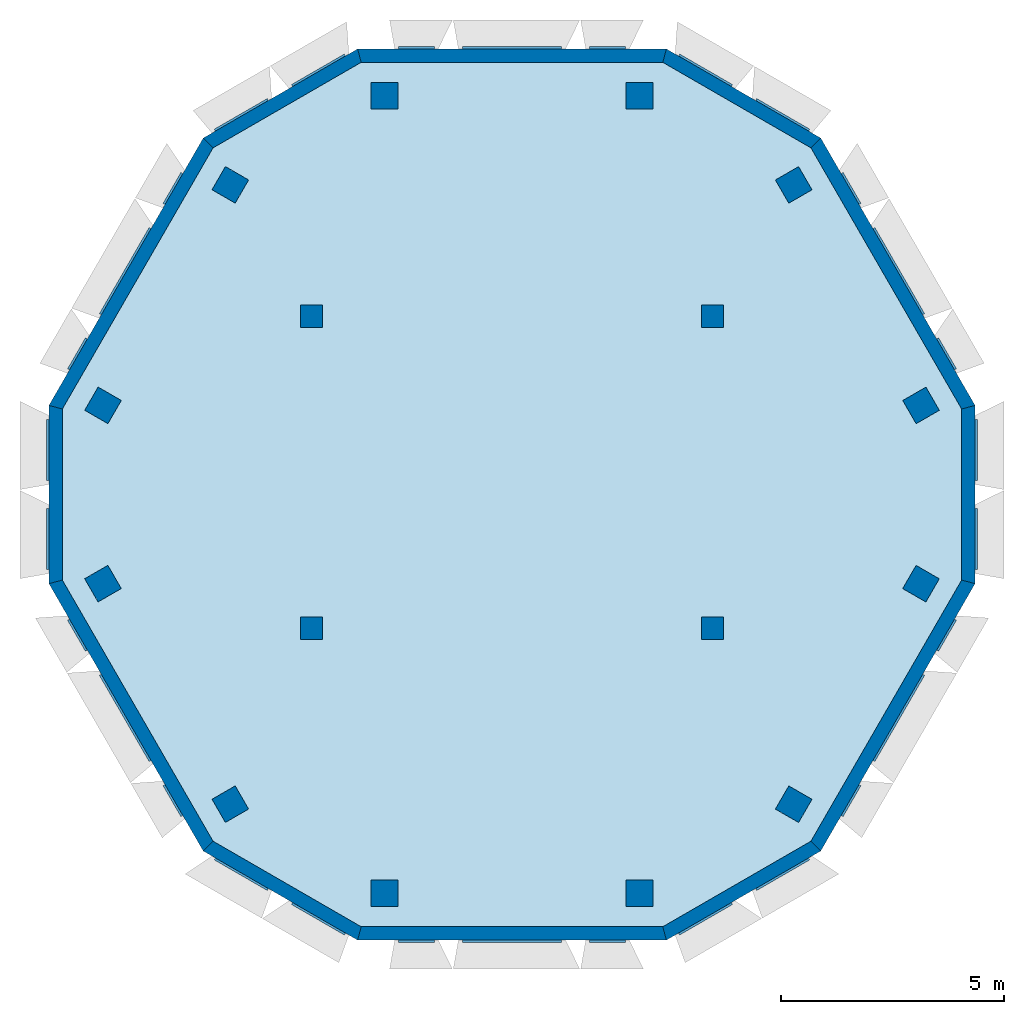
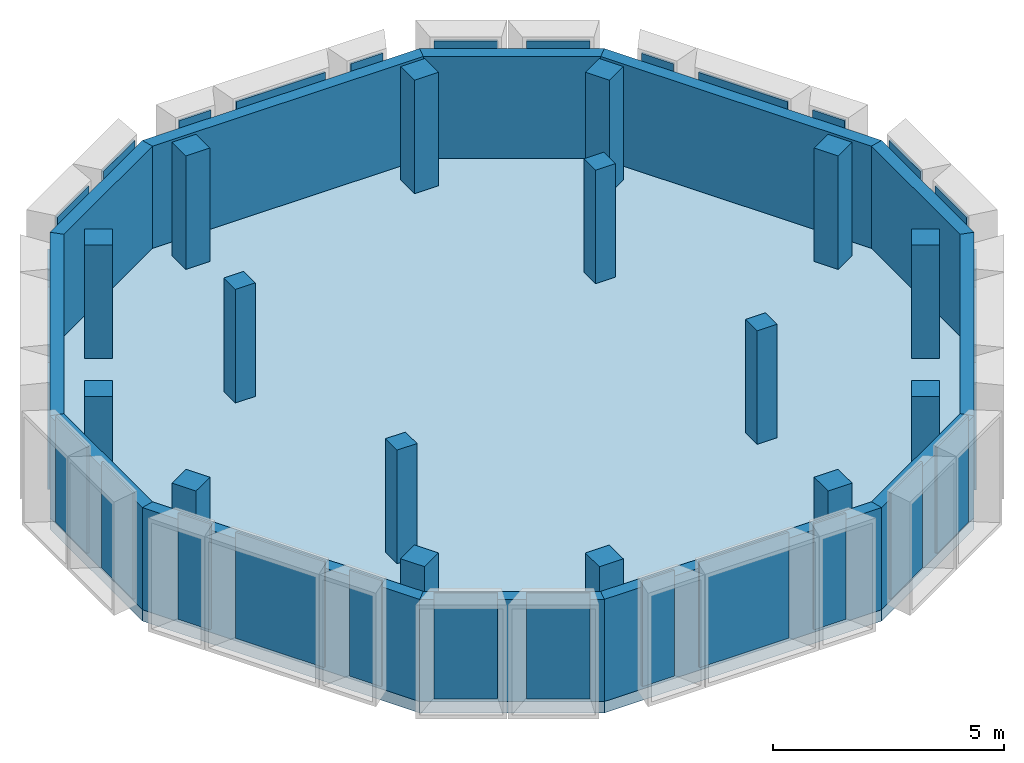
# One storey, part 1 of 2: 30 plates, 16 columns, 12 walls, 1 slab.
"""IFC4 building model written with IfcOpenShell, lengths in metres."""

from ifc_helpers import new_model, si_unit, direction, frame, origin, origin_2d, place, context, subcontext, project, spatial, polyline, rectangle, outline, extrude, source, transform, mapped, material, layer, layer_set, material_profile, profile_set, type_object, type_shapes, element, save


model = new_model("IFC4")

# Units and contexts
model_context = context("Model", 3, precision=1e-05, world=origin(), true_north=direction((0.0, 1.0)))
body_context = subcontext(model_context, "Body", "Model", "MODEL_VIEW")
ifc_project = project(units=[si_unit("LENGTHUNIT", "METRE"), si_unit("AREAUNIT", "SQUARE_METRE"), si_unit("VOLUMEUNIT", "CUBIC_METRE"), si_unit("PLANEANGLEUNIT", "RADIAN"), si_unit("MASSUNIT", "GRAM", prefix="KILO")], contexts=[model_context])

# Site, building, storey
site_placement = place(None, origin())
site = spatial("IfcSite", under=ifc_project, at=site_placement, CompositionType="ELEMENT")
building_placement = place(site_placement, origin())
building = spatial("IfcBuilding", under=site, at=building_placement, Name="Beryl Residences", CompositionType="ELEMENT")
storey_placement = place(building_placement, frame((0.0, 0.0, 259.800048828125)))
storey = spatial("IfcBuildingStorey", under=building, at=storey_placement, Name="L81", CompositionType="ELEMENT", Elevation=259.800048828125)

# Columns
ifc_material_1 = material(Name="Concrete C50/60", Category="concrete")
ifc_material_profile_1 = material_profile(ifc_material_1, rectangle(XDim=0.60009765625, YDim=0.60009765625, at=origin_2d()))
ifc_profile_set_1 = profile_set([ifc_material_profile_1], Name="Concrete C50/60")
column_type_1 = type_object("IfcColumnType", Name="C6 tube column 600 x 600 C50/60", PredefinedType="COLUMN", material=ifc_profile_set_1)
for number, where, z_axis, x_axis, name in (
    (1, (2.85888671875, 8.949951171875, 0.0), (0.0, 0.0, 1.0), (-1.0, 0.0, 0.0), "C6-N1 L81"),
    (2, (-2.85888671875, 8.949951171875, 0.0), (0.0, 0.0, 1.0), (-1.0, 0.0, 0.0), "C6-N2 L81"),
    (3, (-6.322021484375, 6.949951171875, 0.0), (0.0, 0.0, 1.0), (-0.499969769706, -0.866042856549, 0.0), "C6-NW1 L81"),
    (4, (-9.178955078125, 2.0009765625, 0.0), (0.0, 0.0, 1.0), (-0.499969769706, -0.866042856549, 0.0), "C6-NW2 L81"),
    (5, (-9.179931640625, -2.0, 0.0), (0.0, 0.0, 1.0), (0.499969769706, -0.866042856549, 0.0), "C6-SW1 L81"),
    (6, (-6.322021484375, -6.948974609375, 0.0), (0.0, 0.0, 1.0), (0.499969769706, -0.866042856549, 0.0), "C6-SW2 L81"),
    (7, (-2.85888671875, -8.949951171875, 0.0), (0.0, 0.0, 1.0), (1.0, 0.0, 0.0), "C6-S1 L81"),
    (8, (2.85888671875, -8.949951171875, 0.0), (0.0, 0.0, 1.0), (1.0, 0.0, 0.0), "C6-S2 L81"),
    (9, (6.322021484375, -6.949951171875, 0.0), (0.0, 0.0, 1.0), (0.499969769706, 0.866042856549, 0.0), "C6-SE1 L81"),
    (10, (9.178955078125, -2.0009765625, 0.0), (0.0, 0.0, 1.0), (0.499969769706, 0.866042856549, 0.0), "C6-SE2 L81"),
    (11, (9.179931640625, 2.0, 0.0), (0.0, 0.0, 1.0), (-0.499969769706, 0.866042856549, 0.0), "C6-NE1 L81"),
    (12, (6.322021484375, 6.948974609375, 0.0), (0.0, 0.0, 1.0), (-0.499969769706, 0.866042856549, 0.0), "C6-NE2 L81"),
):
    element("IfcColumn", number, at=place(storey_placement, frame(where, z_axis=z_axis, x_axis=x_axis)), inside=storey, type_object=column_type_1, Name=name, PredefinedType="COLUMN", context=body_context, shape_type="SweptSolid", body=[
        extrude(rectangle(XDim=0.60009765625, YDim=0.60009765625, at=origin_2d()), origin(), (0.0, 0.0, 1.0), 3.0),
    ])
ifc_material_2 = material(Name="Concrete C50/60", Category="concrete")
ifc_material_profile_2 = material_profile(ifc_material_2, rectangle(XDim=0.5, YDim=0.5, at=origin_2d()))
ifc_profile_set_2 = profile_set([ifc_material_profile_2], Name="Concrete C50/60")
column_type_2 = type_object("IfcColumnType", Name="IC6 interior column 500 x 500 C50/60", PredefinedType="COLUMN", material=ifc_profile_set_2)
for number, where, z_axis, x_axis, name in (
    (13, (-4.5, 4.0, 0.0), (0.0, 0.0, 1.0), (1.0, 0.0, 0.0), "IC6-K1 L81"),
    (14, (4.5, 4.0, 0.0), (0.0, 0.0, 1.0), (1.0, 0.0, 0.0), "IC6-K2 L81"),
    (15, (-4.5, -3.0, 0.0), (0.0, 0.0, 1.0), (1.0, 0.0, 0.0), "IC6-K3 L81"),
    (16, (4.5, -3.0, 0.0), (0.0, 0.0, 1.0), (1.0, 0.0, 0.0), "IC6-K4 L81"),
):
    element("IfcColumn", number, at=place(storey_placement, frame(where, z_axis=z_axis, x_axis=x_axis)), inside=storey, type_object=column_type_2, Name=name, PredefinedType="COLUMN", context=body_context, shape_type="SweptSolid", body=[
        extrude(rectangle(XDim=0.5, YDim=0.5, at=origin_2d()), origin(), (0.0, 0.0, 1.0), 3.0),
    ])

# Plates
ifc_material_3 = material(Name="Aluminium louvres", Category="aluminium")
ifc_layer_1 = layer(ifc_material_3, 0.050048828125)
ifc_layer_set_1 = layer_set([ifc_layer_1], Name="LV137 louvre panel 1370 x 2800 mm")
plate_type_1 = type_object("IfcPlateType", Name="LV137 louvre panel 1370 x 2800 mm", PredefinedType="SHEET", material=ifc_layer_set_1)
shared_shape_1 = source(origin(), body_context, "Body", "SweptSolid", [
    extrude(outline(polyline([(-0.68505859375, 0.0), (0.68505859375, 0.0), (0.68505859375, 0.050048828125), (-0.68505859375, 0.050048828125), (-0.68505859375, 0.0)])), origin(), (0.0, 0.0, 1.0), 2.800048828125),
])
type_shapes(plate_type_1, [shared_shape_1])
for number, where, z_axis, x_axis, name in (
    (17, (-4.3310546875, 9.5, 0.099853515625), (0.0, 0.0, 1.0), (0.866025403784, 0.5, 0.0), "LV137 louvre cell L81 N-NW 1"),
    (18, (-6.06298828125, 8.5, 0.099853515625), (0.0, 0.0, 1.0), (0.866025403784, 0.5, 0.0), "LV137 louvre cell L81 N-NW 2"),
    (19, (-10.39208984375, 1.0, 0.099853515625), (0.0, 0.0, 1.0), (0.0, 1.0, 0.0), "LV137 louvre cell L81 NW-SW 1"),
    (20, (-10.39208984375, -1.0, 0.099853515625), (0.0, 0.0, 1.0), (0.0, 1.0, 0.0), "LV137 louvre cell L81 NW-SW 2"),
    (21, (-6.06298828125, -8.5, 0.099853515625), (0.0, 0.0, 1.0), (-0.866025403784, 0.5, 0.0), "LV137 louvre cell L81 SW-S 1"),
    (22, (-4.3310546875, -9.5, 0.099853515625), (0.0, 0.0, 1.0), (-0.866025403784, 0.5, 0.0), "LV137 louvre cell L81 SW-S 2"),
    (23, (4.3310546875, -9.5, 0.099853515625), (0.0, 0.0, 1.0), (-0.866025403784, -0.5, 0.0), "LV137 louvre cell L81 S-SE 1"),
    (24, (6.06298828125, -8.5, 0.099853515625), (0.0, 0.0, 1.0), (-0.866025403784, -0.5, 0.0), "LV137 louvre cell L81 S-SE 2"),
    (25, (10.39208984375, -1.0, 0.099853515625), (0.0, 0.0, 1.0), (0.0, -1.0, 0.0), "LV137 louvre cell L81 SE-NE 1"),
    (26, (10.39208984375, 1.0, 0.099853515625), (0.0, 0.0, 1.0), (0.0, -1.0, 0.0), "LV137 louvre cell L81 SE-NE 2"),
    (27, (6.06298828125, 8.5, 0.099853515625), (0.0, 0.0, 1.0), (0.866025403784, -0.5, 0.0), "LV137 louvre cell L81 NE-N 1"),
    (28, (4.3310546875, 9.5, 0.099853515625), (0.0, 0.0, 1.0), (0.866025403784, -0.5, 0.0), "LV137 louvre cell L81 NE-N 2"),
):
    element("IfcPlate", number, at=place(storey_placement, frame(where, z_axis=z_axis, x_axis=x_axis)), inside=storey, type_object=plate_type_1, Name=name, PredefinedType="SHEET", context=body_context, shape_type="MappedRepresentation", body=[
        mapped(shared_shape_1, transform((0.0, 0.0, 0.0))),
    ])
ifc_material_4 = material(Name="Aluminium louvres", Category="aluminium")
ifc_layer_2 = layer(ifc_material_4, 0.050048828125)
ifc_layer_set_2 = layer_set([ifc_layer_2], Name="LV223 louvre panel 2230 x 2800 mm")
plate_type_2 = type_object("IfcPlateType", Name="LV223 louvre panel 2230 x 2800 mm", PredefinedType="SHEET", material=ifc_layer_set_2)
shared_shape_2 = source(origin(), body_context, "Body", "SweptSolid", [
    extrude(outline(polyline([(-1.114990234375, 0.0), (1.114990234375, 0.0), (1.114990234375, 0.050048828125), (-1.114990234375, 0.050048828125), (-1.114990234375, 0.0)])), origin(), (0.0, 0.0, 1.0), 2.800048828125),
])
type_shapes(plate_type_2, [shared_shape_2])
for number, where, z_axis, x_axis, name in (
    (29, (0.0, 10.0, 0.099853515625), (0.0, 0.0, 1.0), (1.0, 0.0, 0.0), "LV223 louvre cell L81 N 2"),
    (30, (-8.659912109375, 5.0, 0.099853515625), (0.0, 0.0, 1.0), (0.5, 0.866025403784, 0.0), "LV223 louvre cell L81 NW 2"),
    (31, (-8.659912109375, -5.0, 0.099853515625), (0.0, 0.0, 1.0), (-0.5, 0.866025403784, 0.0), "LV223 louvre cell L81 SW 2"),
    (32, (0.0, -10.0, 0.099853515625), (0.0, 0.0, 1.0), (-1.0, 0.0, 0.0), "LV223 louvre cell L81 S 2"),
    (33, (8.659912109375, -5.0, 0.099853515625), (0.0, 0.0, 1.0), (-0.5, -0.866025403784, 0.0), "LV223 louvre cell L81 SE 2"),
    (34, (8.659912109375, 5.0, 0.099853515625), (0.0, 0.0, 1.0), (0.5, -0.866025403784, 0.0), "LV223 louvre cell L81 NE 2"),
):
    element("IfcPlate", number, at=place(storey_placement, frame(where, z_axis=z_axis, x_axis=x_axis)), inside=storey, type_object=plate_type_2, Name=name, PredefinedType="SHEET", context=body_context, shape_type="MappedRepresentation", body=[
        mapped(shared_shape_2, transform((0.0, 0.0, 0.0))),
    ])
ifc_material_5 = material(Name="Aluminium louvres", Category="aluminium")
ifc_layer_3 = layer(ifc_material_5, 0.050048828125)
ifc_layer_set_3 = layer_set([ifc_layer_3], Name="LV80 louvre panel 800 x 2800 mm")
plate_type_3 = type_object("IfcPlateType", Name="LV80 louvre panel 800 x 2800 mm", PredefinedType="SHEET", material=ifc_layer_set_3)
shared_shape_3 = source(origin(), body_context, "Body", "SweptSolid", [
    extrude(outline(polyline([(-0.39990234375, 0.0), (0.39990234375, 0.0), (0.39990234375, 0.050048828125), (-0.39990234375, 0.050048828125), (-0.39990234375, 0.0)])), origin(), (0.0, 0.0, 1.0), 2.800048828125),
])
type_shapes(plate_type_3, [shared_shape_3])
for number, where, z_axis, x_axis, name in (
    (35, (2.14404296875, 10.0, 0.099853515625), (0.0, 0.0, 1.0), (1.0, 0.0, 0.0), "LV80 louvre cell L81 N 1"),
    (36, (-2.14404296875, 10.0, 0.099853515625), (0.0, 0.0, 1.0), (1.0, 0.0, 0.0), "LV80 louvre cell L81 N 3"),
    (37, (-7.587890625, 6.85595703125, 0.099853515625), (0.0, 0.0, 1.0), (0.5, 0.866025403784, 0.0), "LV80 louvre cell L81 NW 1"),
    (38, (-9.73095703125, 3.14404296875, 0.099853515625), (0.0, 0.0, 1.0), (0.5, 0.866025403784, 0.0), "LV80 louvre cell L81 NW 3"),
    (39, (-9.73193359375, -3.14404296875, 0.099853515625), (0.0, 0.0, 1.0), (-0.5, 0.866025403784, 0.0), "LV80 louvre cell L81 SW 1"),
    (40, (-7.589111328125, -6.85595703125, 0.099853515625), (0.0, 0.0, 1.0), (-0.5, 0.866025403784, 0.0), "LV80 louvre cell L81 SW 3"),
    (41, (-2.14404296875, -10.0, 0.099853515625), (0.0, 0.0, 1.0), (-1.0, 0.0, 0.0), "LV80 louvre cell L81 S 1"),
    (42, (2.14404296875, -10.0, 0.099853515625), (0.0, 0.0, 1.0), (-1.0, 0.0, 0.0), "LV80 louvre cell L81 S 3"),
    (43, (7.587890625, -6.85595703125, 0.099853515625), (0.0, 0.0, 1.0), (-0.5, -0.866025403784, 0.0), "LV80 louvre cell L81 SE 1"),
    (44, (9.73095703125, -3.14404296875, 0.099853515625), (0.0, 0.0, 1.0), (-0.5, -0.866025403784, 0.0), "LV80 louvre cell L81 SE 3"),
    (45, (9.73193359375, 3.14404296875, 0.099853515625), (0.0, 0.0, 1.0), (0.5, -0.866025403784, 0.0), "LV80 louvre cell L81 NE 1"),
    (46, (7.589111328125, 6.85595703125, 0.099853515625), (0.0, 0.0, 1.0), (0.5, -0.866025403784, 0.0), "LV80 louvre cell L81 NE 3"),
):
    element("IfcPlate", number, at=place(storey_placement, frame(where, z_axis=z_axis, x_axis=x_axis)), inside=storey, type_object=plate_type_3, Name=name, PredefinedType="SHEET", context=body_context, shape_type="MappedRepresentation", body=[
        mapped(shared_shape_3, transform((0.0, 0.0, 0.0))),
    ])

# Slab
ifc_material_6 = material(Name="Concrete C40/50", Category="concrete")
ifc_layer_4 = layer(ifc_material_6, 0.300048828125)
ifc_layer_set_4 = layer_set([ifc_layer_4], Name="SL14 roof slab 300 mm C40/50")
slab_type = type_object("IfcSlabType", Name="SL14 roof slab 300 mm C40/50", PredefinedType="ROOF", material=ifc_layer_set_4)
slab_placement = place(storey_placement, frame((0.0, 0.0, -0.300048828125)))
element("IfcSlab", 47, at=slab_placement, inside=storey, type_object=slab_type, Name="L81 slab 1", PredefinedType="ROOF", context=body_context, shape_type="SweptSolid", body=[
    extrude(outline(polyline([(10.39208984375, 2.0), (10.39208984375, -2.0), (6.928955078125, -8.0), (3.465087890625, -10.0), (-3.465087890625, -10.0), (-6.928955078125, -8.0), (-10.39208984375, -2.0), (-10.39208984375, 2.0), (-6.928955078125, 8.0), (-3.465087890625, 10.0), (3.465087890625, 10.0), (6.928955078125, 8.0), (10.39208984375, 2.0)]), holes=[polyline([(9.590087890625, 1.889892578125), (9.2900390625, 2.409912109375), (8.77001953125, 2.110107421875), (9.070068359375, 1.590087890625), (9.590087890625, 1.889892578125)]), polyline([(9.2890625, -2.410888671875), (9.589111328125, -1.89111328125), (9.069091796875, -1.591064453125), (8.76904296875, -2.111083984375), (9.2890625, -2.410888671875)]), polyline([(6.73193359375, 6.839111328125), (6.431884765625, 7.35888671875), (5.912109375, 7.05908203125), (6.2119140625, 6.5390625), (6.73193359375, 6.839111328125)]), polyline([(6.431884765625, -7.360107421875), (6.73193359375, -6.840087890625), (6.2119140625, -6.5400390625), (5.912109375, -7.06005859375), (6.431884765625, -7.360107421875)]), polyline([(4.25, 3.75), (4.75, 3.75), (4.75, 4.25), (4.25, 4.25), (4.25, 3.75)]), polyline([(4.25, -3.25), (4.75, -3.25), (4.75, -2.75), (4.25, -2.75), (4.25, -3.25)]), polyline([(2.55908203125, -9.25), (3.158935546875, -9.25), (3.158935546875, -8.64990234375), (2.55908203125, -8.64990234375), (2.55908203125, -9.25)]), polyline([(3.158935546875, 9.25), (2.55908203125, 9.25), (2.55908203125, 8.64990234375), (3.158935546875, 8.64990234375), (3.158935546875, 9.25)]), polyline([(-2.55908203125, 9.25), (-3.158935546875, 9.25), (-3.158935546875, 8.64990234375), (-2.55908203125, 8.64990234375), (-2.55908203125, 9.25)]), polyline([(-3.158935546875, -9.25), (-2.55908203125, -9.25), (-2.55908203125, -8.64990234375), (-3.158935546875, -8.64990234375), (-3.158935546875, -9.25)]), polyline([(-4.75, 3.75), (-4.25, 3.75), (-4.25, 4.25), (-4.75, 4.25), (-4.75, 3.75)]), polyline([(-4.75, -3.25), (-4.25, -3.25), (-4.25, -2.75), (-4.75, -2.75), (-4.75, -3.25)]), polyline([(-6.431884765625, 7.360107421875), (-6.73193359375, 6.840087890625), (-6.2119140625, 6.5400390625), (-5.912109375, 7.06005859375), (-6.431884765625, 7.360107421875)]), polyline([(-6.73193359375, -6.839111328125), (-6.431884765625, -7.35888671875), (-5.912109375, -7.05908203125), (-6.2119140625, -6.5390625), (-6.73193359375, -6.839111328125)]), polyline([(-9.2890625, 2.410888671875), (-9.589111328125, 1.89111328125), (-9.069091796875, 1.591064453125), (-8.76904296875, 2.111083984375), (-9.2890625, 2.410888671875)]), polyline([(-9.590087890625, -1.889892578125), (-9.2900390625, -2.409912109375), (-8.77001953125, -2.110107421875), (-9.070068359375, -1.590087890625), (-9.590087890625, -1.889892578125)])]), origin(), (0.0, 0.0, 1.0), 0.300048828125),
])

# Walls
ifc_material_7 = material(Name="Composite metal panel with mineral wool insulation")
ifc_layer_5 = layer(ifc_material_7, 0.300048828125)
ifc_layer_set_5 = layer_set([ifc_layer_5], Name="ES1 pale metal composite panel wall 300 mm")
wall_type = type_object("IfcWallType", Name="ES1 pale metal composite panel wall 300 mm", PredefinedType="SOLIDWALL", material=ifc_layer_set_5)
wall_1_placement = place(storey_placement, frame((3.465087890625, 9.85009765625, 0.0), z_axis=(0.0, 0.0, 1.0), x_axis=(-1.0, 0.0, 0.0)))
element("IfcWall", 48, at=wall_1_placement, inside=storey, type_object=wall_type, Name="ES1 external wall L81 N", PredefinedType="SOLIDWALL", context=body_context, shape_type="SweptSolid", body=[
    extrude(outline(polyline([(0.0, -0.14990234375), (6.93017578125, -0.14990234375), (6.849853515625, 0.14990234375), (0.080322265625, 0.14990234375), (0.0, -0.14990234375)])), origin(), (0.0, 0.0, 1.0), 2.699951171875),
])
wall_2_placement = place(storey_placement, frame((-3.389892578125, 9.8701171875, 0.0), z_axis=(0.0, 0.0, 1.0), x_axis=(-0.866026010844, -0.49999894854, 0.0)))
element("IfcWall", 49, at=wall_2_placement, inside=storey, type_object=wall_type, Name="ES1 external wall L81 N-NW", PredefinedType="SOLIDWALL", context=body_context, shape_type="SweptSolid", body=[
    extrude(outline(polyline([(0.0, -0.14990234375), (4.0, -0.14990234375), (3.919677734375, 0.14990234375), (0.080322265625, 0.14990234375), (0.0, -0.14990234375)])), origin(), (0.0, 0.0, 1.0), 2.699951171875),
])
wall_3_placement = place(storey_placement, frame((-6.799072265625, 7.925048828125, 0.0), z_axis=(0.0, 0.0, 1.0), x_axis=(-0.499868889286, -0.866101087359, 0.0)))
element("IfcWall", 50, at=wall_3_placement, inside=storey, type_object=wall_type, Name="ES1 external wall L81 NW", PredefinedType="SOLIDWALL", context=body_context, shape_type="SweptSolid", body=[
    extrude(outline(polyline([(0.0, -0.14990234375), (6.927490234375, -0.14990234375), (6.84716796875, 0.14990234375), (0.080322265625, 0.14990234375), (0.0, -0.14990234375)])), origin(), (0.0, 0.0, 1.0), 2.699951171875),
])
wall_4_placement = place(storey_placement, frame((-10.241943359375, 2.0, 0.0), z_axis=(0.0, 0.0, 1.0), x_axis=(0.0, -1.0, 0.0)))
element("IfcWall", 51, at=wall_4_placement, inside=storey, type_object=wall_type, Name="ES1 external wall L81 NW-SW", PredefinedType="SOLIDWALL", context=body_context, shape_type="SweptSolid", body=[
    extrude(outline(polyline([(0.0, -0.14990234375), (4.0, -0.14990234375), (3.919677734375, 0.14990234375), (0.080322265625, 0.14990234375), (0.0, -0.14990234375)])), origin(), (0.0, 0.0, 1.0), 2.699951171875),
])
wall_5_placement = place(storey_placement, frame((-10.261962890625, -1.925048828125, 0.0), z_axis=(0.0, 0.0, 1.0), x_axis=(0.499868889286, -0.866101087359, 0.0)))
element("IfcWall", 52, at=wall_5_placement, inside=storey, type_object=wall_type, Name="ES1 external wall L81 SW", PredefinedType="SOLIDWALL", context=body_context, shape_type="SweptSolid", body=[
    extrude(outline(polyline([(0.0, -0.14990234375), (6.927490234375, -0.14990234375), (6.84716796875, 0.14990234375), (0.080322265625, 0.14990234375), (0.0, -0.14990234375)])), origin(), (0.0, 0.0, 1.0), 2.699951171875),
])
wall_6_placement = place(storey_placement, frame((-6.85400390625, -7.8701171875, 0.0), z_axis=(0.0, 0.0, 1.0), x_axis=(0.866026010844, -0.49999894854, 0.0)))
element("IfcWall", 53, at=wall_6_placement, inside=storey, type_object=wall_type, Name="ES1 external wall L81 SW-S", PredefinedType="SOLIDWALL", context=body_context, shape_type="SweptSolid", body=[
    extrude(outline(polyline([(0.0, -0.14990234375), (4.0, -0.14990234375), (3.919677734375, 0.14990234375), (0.080322265625, 0.14990234375), (0.0, -0.14990234375)])), origin(), (0.0, 0.0, 1.0), 2.699951171875),
])
wall_7_placement = place(storey_placement, frame((-3.465087890625, -9.85009765625, 0.0), z_axis=(0.0, 0.0, 1.0), x_axis=(1.0, 0.0, 0.0)))
element("IfcWall", 54, at=wall_7_placement, inside=storey, type_object=wall_type, Name="ES1 external wall L81 S", PredefinedType="SOLIDWALL", context=body_context, shape_type="SweptSolid", body=[
    extrude(outline(polyline([(0.0, -0.14990234375), (6.93017578125, -0.14990234375), (6.849853515625, 0.14990234375), (0.080322265625, 0.14990234375), (0.0, -0.14990234375)])), origin(), (0.0, 0.0, 1.0), 2.699951171875),
])
wall_8_placement = place(storey_placement, frame((3.389892578125, -9.8701171875, 0.0), z_axis=(0.0, 0.0, 1.0), x_axis=(0.866026010844, 0.49999894854, 0.0)))
element("IfcWall", 55, at=wall_8_placement, inside=storey, type_object=wall_type, Name="ES1 external wall L81 S-SE", PredefinedType="SOLIDWALL", context=body_context, shape_type="SweptSolid", body=[
    extrude(outline(polyline([(0.0, -0.14990234375), (4.0, -0.14990234375), (3.919677734375, 0.14990234375), (0.080322265625, 0.14990234375), (0.0, -0.14990234375)])), origin(), (0.0, 0.0, 1.0), 2.699951171875),
])
wall_9_placement = place(storey_placement, frame((6.799072265625, -7.925048828125, 0.0), z_axis=(0.0, 0.0, 1.0), x_axis=(0.499868889286, 0.866101087359, 0.0)))
element("IfcWall", 56, at=wall_9_placement, inside=storey, type_object=wall_type, Name="ES1 external wall L81 SE", PredefinedType="SOLIDWALL", context=body_context, shape_type="SweptSolid", body=[
    extrude(outline(polyline([(0.0, -0.14990234375), (6.927490234375, -0.14990234375), (6.84716796875, 0.14990234375), (0.080322265625, 0.14990234375), (0.0, -0.14990234375)])), origin(), (0.0, 0.0, 1.0), 2.699951171875),
])
wall_10_placement = place(storey_placement, frame((10.241943359375, -2.0, 0.0), z_axis=(0.0, 0.0, 1.0), x_axis=(0.0, 1.0, 0.0)))
element("IfcWall", 57, at=wall_10_placement, inside=storey, type_object=wall_type, Name="ES1 external wall L81 SE-NE", PredefinedType="SOLIDWALL", context=body_context, shape_type="SweptSolid", body=[
    extrude(outline(polyline([(0.0, -0.14990234375), (4.0, -0.14990234375), (3.919677734375, 0.14990234375), (0.080322265625, 0.14990234375), (0.0, -0.14990234375)])), origin(), (0.0, 0.0, 1.0), 2.699951171875),
])
wall_11_placement = place(storey_placement, frame((10.261962890625, 1.925048828125, 0.0), z_axis=(0.0, 0.0, 1.0), x_axis=(-0.499868889286, 0.866101087359, 0.0)))
element("IfcWall", 58, at=wall_11_placement, inside=storey, type_object=wall_type, Name="ES1 external wall L81 NE", PredefinedType="SOLIDWALL", context=body_context, shape_type="SweptSolid", body=[
    extrude(outline(polyline([(0.0, -0.14990234375), (6.927490234375, -0.14990234375), (6.84716796875, 0.14990234375), (0.080322265625, 0.14990234375), (0.0, -0.14990234375)])), origin(), (0.0, 0.0, 1.0), 2.699951171875),
])
wall_12_placement = place(storey_placement, frame((6.85400390625, 7.8701171875, 0.0), z_axis=(0.0, 0.0, 1.0), x_axis=(-0.866026010844, 0.49999894854, 0.0)))
element("IfcWall", 59, at=wall_12_placement, inside=storey, type_object=wall_type, Name="ES1 external wall L81 NE-N", PredefinedType="SOLIDWALL", context=body_context, shape_type="SweptSolid", body=[
    extrude(outline(polyline([(0.0, -0.14990234375), (4.0, -0.14990234375), (3.919677734375, 0.14990234375), (0.080322265625, 0.14990234375), (0.0, -0.14990234375)])), origin(), (0.0, 0.0, 1.0), 2.699951171875),
])

save(model, "model.ifc")
